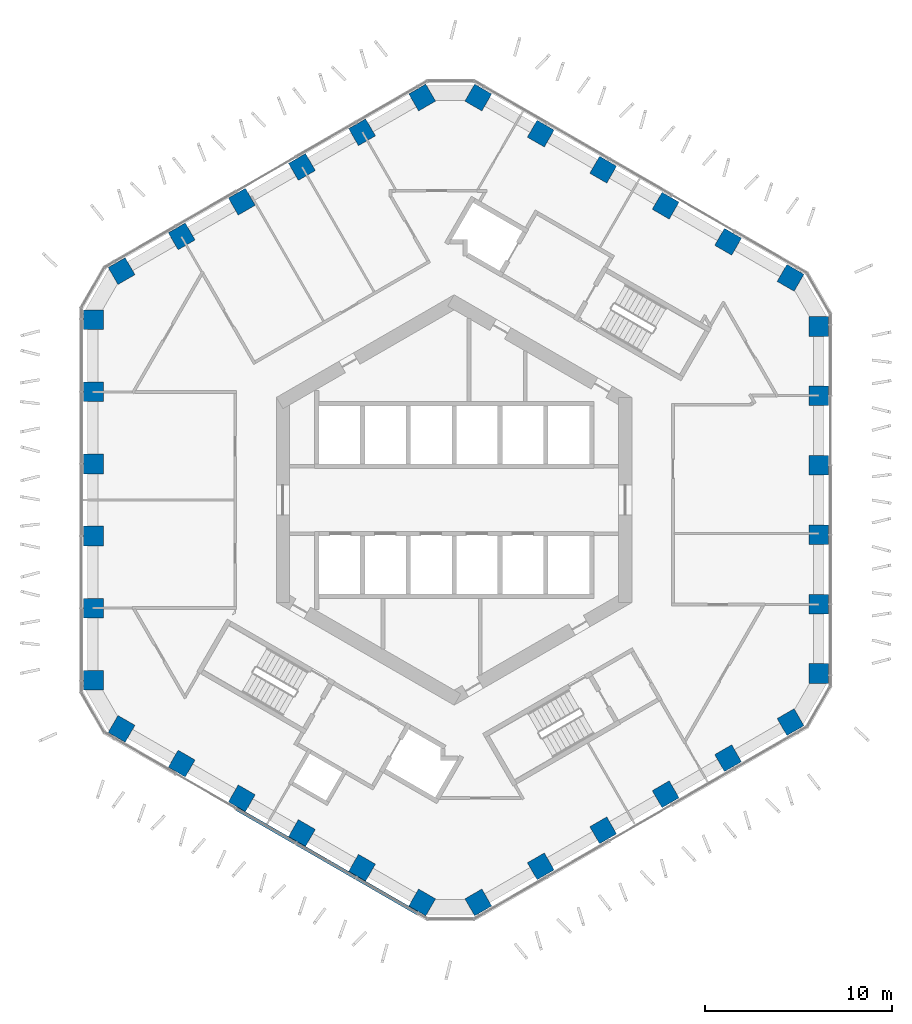
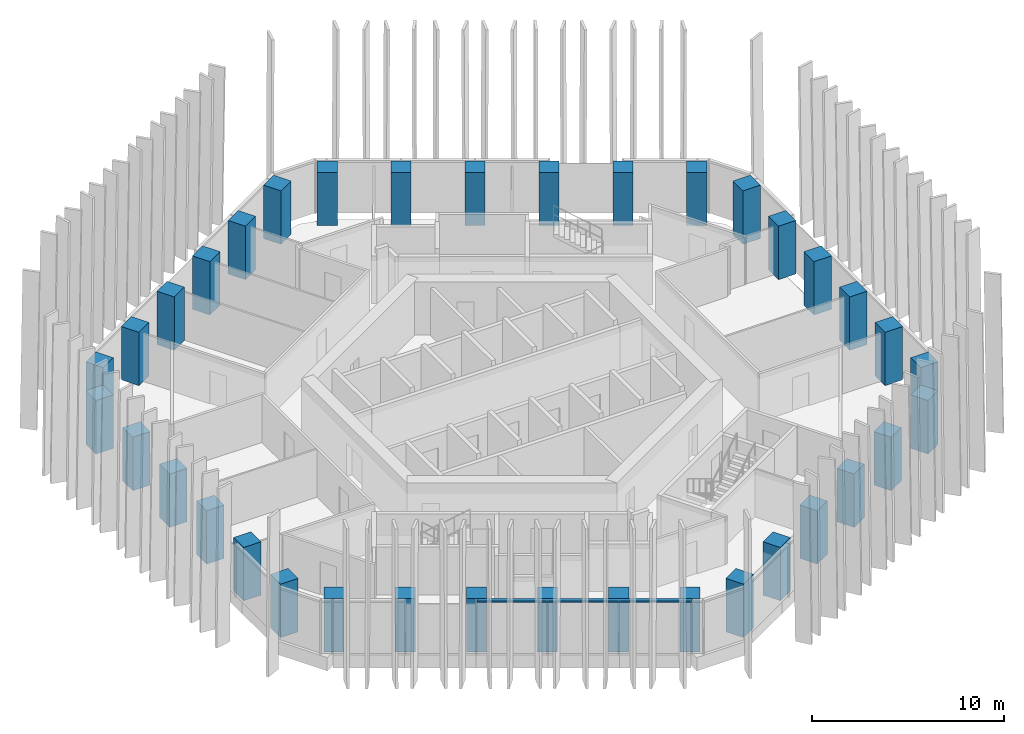
# One storey, part 1 of 19: 36 columns, 1 member, 1 element without a shape of its own.
"""IFC4 building model written with IfcOpenShell, lengths in metres."""

from ifc_helpers import new_model, si_unit, direction, frame, origin, origin_2d, place, context, subcontext, project, spatial, rectangle, extrude, material, layer, layer_set, material_profile, profile_set, type_object, element, aggregate, save


model = new_model("IFC4")

# Units and contexts
model_context = context("Model", 3, precision=1e-05, world=origin(), true_north=direction((0.0, 1.0)))
body_context = subcontext(model_context, "Body", "Model", "MODEL_VIEW")
ifc_project = project(units=[si_unit("LENGTHUNIT", "METRE"), si_unit("AREAUNIT", "SQUARE_METRE"), si_unit("VOLUMEUNIT", "CUBIC_METRE"), si_unit("PLANEANGLEUNIT", "RADIAN"), si_unit("MASSUNIT", "GRAM", prefix="KILO")], contexts=[model_context])

# Site, building, storey
site_placement = place(None, origin())
site = spatial("IfcSite", under=ifc_project, at=site_placement, CompositionType="ELEMENT")
building_placement = place(site_placement, origin())
building = spatial("IfcBuilding", under=site, at=building_placement, Name="Ayvan Gate Tower", CompositionType="ELEMENT")
storey_placement = place(building_placement, frame((0.0, 0.0, 93.300048828125)))
storey = spatial("IfcBuildingStorey", under=building, at=storey_placement, Name="L24", CompositionType="ELEMENT", Elevation=93.300048828125)

# Columns
ifc_material_1 = material(Name="Concrete C60/75", Category="concrete")
ifc_material_profile_1 = material_profile(ifc_material_1, rectangle(XDim=1.050048828125, YDim=1.050048828125, at=origin_2d()), Name="RC 1050x1050")
ifc_profile_set_1 = profile_set([ifc_material_profile_1], Name="Concrete C60/75")
column_type = type_object("IfcColumnType", Name="Tube column RC 1050x1050 C60/75", PredefinedType="COLUMN", material=ifc_profile_set_1)
for number, where, z_axis, x_axis, name in (
    (1, (19.485595703125, -9.278076171875, 0.0), (0.0, 0.0, 1.0), (1.0, 0.0, 0.0), "C-T0-0-L24"),
    (2, (19.485595703125, -5.56689453125, 0.0), (0.0, 0.0, 1.0), (1.0, 0.0, 0.0), "C-T0-1-L24"),
    (3, (19.485595703125, -1.855712890625, 0.0), (0.0, 0.0, 1.0), (1.0, 0.0, 0.0), "C-T0-2-L24"),
    (4, (19.485595703125, 1.855712890625, 0.0), (0.0, 0.0, 1.0), (1.0, 0.0, 0.0), "C-T0-3-L24"),
    (5, (19.485595703125, 5.56689453125, 0.0), (0.0, 0.0, 1.0), (1.0, 0.0, 0.0), "C-T0-4-L24"),
    (6, (19.485595703125, 9.278076171875, 0.0), (0.0, 0.0, 1.0), (1.0, 0.0, 0.0), "C-T0-5-L24"),
    (7, (17.985595703125, 11.876220703125, 0.0), (0.0, 0.0, 1.0), (0.5, 0.866025403784, 0.0), "C-T1-0-L24"),
    (8, (14.64697265625, 13.8037109375, 0.0), (0.0, 0.0, 1.0), (0.5, 0.866025403784, 0.0), "C-T1-1-L24"),
    (9, (11.308349609375, 15.7314453125, 0.0), (0.0, 0.0, 1.0), (0.5, 0.866025403784, 0.0), "C-T1-2-L24"),
    (10, (7.969482421875, 17.658935546875, 0.0), (0.0, 0.0, 1.0), (0.5, 0.866025403784, 0.0), "C-T1-3-L24"),
    (11, (4.630859375, 19.58642578125, 0.0), (0.0, 0.0, 1.0), (0.5, 0.866025403784, 0.0), "C-T1-4-L24"),
    (12, (1.292236328125, 21.51416015625, 0.0), (0.0, 0.0, 1.0), (0.5, 0.866025403784, 0.0), "C-T1-5-L24"),
    (13, (-1.707763671875, 21.51416015625, 0.0), (0.0, 0.0, 1.0), (-0.5, 0.866025403784, 0.0), "C-T2-0-L24"),
    (14, (-4.921630859375, 19.658447265625, 0.0), (0.0, 0.0, 1.0), (-0.5, 0.866025403784, 0.0), "C-T2-1-L24"),
    (15, (-8.1357421875, 17.802734375, 0.0), (0.0, 0.0, 1.0), (-0.5, 0.866025403784, 0.0), "C-T2-2-L24"),
    (16, (-11.349853515625, 15.947265625, 0.0), (0.0, 0.0, 1.0), (-0.5, 0.866025403784, 0.0), "C-T2-3-L24"),
    (17, (-14.563720703125, 14.091552734375, 0.0), (0.0, 0.0, 1.0), (-0.5, 0.866025403784, 0.0), "C-T2-4-L24"),
    (18, (-17.77783203125, 12.23583984375, 0.0), (0.0, 0.0, 1.0), (-0.5, 0.866025403784, 0.0), "C-T2-5-L24"),
    (19, (-19.27783203125, 9.637939453125, 0.0), (0.0, 0.0, 1.0), (-1.0, 0.0, 0.0), "C-T3-0-L24"),
    (20, (-19.27783203125, 5.78271484375, 0.0), (0.0, 0.0, 1.0), (-1.0, 0.0, 0.0), "C-T3-1-L24"),
    (21, (-19.27783203125, 1.927490234375, 0.0), (0.0, 0.0, 1.0), (-1.0, 0.0, 0.0), "C-T3-2-L24"),
    (22, (-19.27783203125, -1.927490234375, 0.0), (0.0, 0.0, 1.0), (-1.0, 0.0, 0.0), "C-T3-3-L24"),
    (23, (-19.27783203125, -5.78271484375, 0.0), (0.0, 0.0, 1.0), (-1.0, 0.0, 0.0), "C-T3-4-L24"),
    (24, (-19.27783203125, -9.637939453125, 0.0), (0.0, 0.0, 1.0), (-1.0, 0.0, 0.0), "C-T3-5-L24"),
    (25, (-17.77783203125, -12.23583984375, 0.0), (0.0, 0.0, 1.0), (-0.5, -0.866025403784, 0.0), "C-T4-0-L24"),
    (26, (-14.563720703125, -14.091552734375, 0.0), (0.0, 0.0, 1.0), (-0.5, -0.866025403784, 0.0), "C-T4-1-L24"),
    (27, (-11.349853515625, -15.947265625, 0.0), (0.0, 0.0, 1.0), (-0.5, -0.866025403784, 0.0), "C-T4-2-L24"),
    (28, (-8.1357421875, -17.802734375, 0.0), (0.0, 0.0, 1.0), (-0.5, -0.866025403784, 0.0), "C-T4-3-L24"),
    (29, (-4.921630859375, -19.658447265625, 0.0), (0.0, 0.0, 1.0), (-0.5, -0.866025403784, 0.0), "C-T4-4-L24"),
    (30, (-1.707763671875, -21.51416015625, 0.0), (0.0, 0.0, 1.0), (-0.5, -0.866025403784, 0.0), "C-T4-5-L24"),
    (31, (1.292236328125, -21.51416015625, 0.0), (0.0, 0.0, 1.0), (0.5, -0.866025403784, 0.0), "C-T5-0-L24"),
    (32, (4.630859375, -19.58642578125, 0.0), (0.0, 0.0, 1.0), (0.5, -0.866025403784, 0.0), "C-T5-1-L24"),
    (33, (7.969482421875, -17.658935546875, 0.0), (0.0, 0.0, 1.0), (0.5, -0.866025403784, 0.0), "C-T5-2-L24"),
    (34, (11.308349609375, -15.7314453125, 0.0), (0.0, 0.0, 1.0), (0.5, -0.866025403784, 0.0), "C-T5-3-L24"),
    (35, (14.64697265625, -13.8037109375, 0.0), (0.0, 0.0, 1.0), (0.5, -0.866025403784, 0.0), "C-T5-4-L24"),
    (36, (17.985595703125, -11.876220703125, 0.0), (0.0, 0.0, 1.0), (0.5, -0.866025403784, 0.0), "C-T5-5-L24"),
):
    element("IfcColumn", number, at=place(storey_placement, frame(where, z_axis=z_axis, x_axis=x_axis)), inside=storey, type_object=column_type, Name=name, PredefinedType="COLUMN", context=body_context, shape_type="SweptSolid", body=[
        extrude(rectangle(XDim=1.050048828125, YDim=1.050048828125, at=origin_2d()), origin(), (0.0, 0.0, 1.0), 3.39990234375),
    ])

# Curtain wall, member
ifc_material_2 = material(Name="Bronze anodised aluminium", Category="aluminium")
ifc_layer = layer(ifc_material_2, 0.199951171875)
ifc_layer_set = layer_set([ifc_layer], Name="Bronze anodised aluminium")
curtain_wall_type = type_object("IfcCurtainWallType", Name="Stick curtain wall CW-1", PredefinedType="NOTDEFINED", material=ifc_layer_set)
curtain_wall_placement = place(storey_placement, origin())
curtain_wall = element("IfcCurtainWall", 37, at=curtain_wall_placement, inside=storey, type_object=curtain_wall_type, Name="Stick curtain wall CW-1 L24", PredefinedType="NOTDEFINED")
ifc_material_profile_2 = material_profile(ifc_material_2, rectangle(XDim=0.199951171875, YDim=0.1201171875, at=origin_2d()), Name="Stick curtain wall CW-1 transom 200 x 120")
ifc_profile_set_2 = profile_set([ifc_material_profile_2], Name="Bronze anodised aluminium")
member_type = type_object("IfcMemberType", Name="Stick curtain wall CW-1 transom 200 x 120", PredefinedType="USERDEFINED", material=ifc_profile_set_2)
member_placement = place(storey_placement, frame((-11.63623046875, -16.50341796875, 3.33984375), z_axis=(0.866019183539, -0.500010773627, 0.0), x_axis=(0.500010773627, 0.866019183539, 0.0)))
member = element("IfcMember", 38, at=member_placement, type_object=member_type, Name="CW-1 transom 2", ObjectType="TRANSOM", PredefinedType="USERDEFINED", context=body_context, shape_type="SweptSolid", body=[
    extrude(rectangle(XDim=0.199951171875, YDim=0.1201171875, at=origin_2d()), origin(), (0.0, 0.0, 1.0), 11.190185546875),
])
aggregate(curtain_wall, [member])

save(model, "model.ifc")
